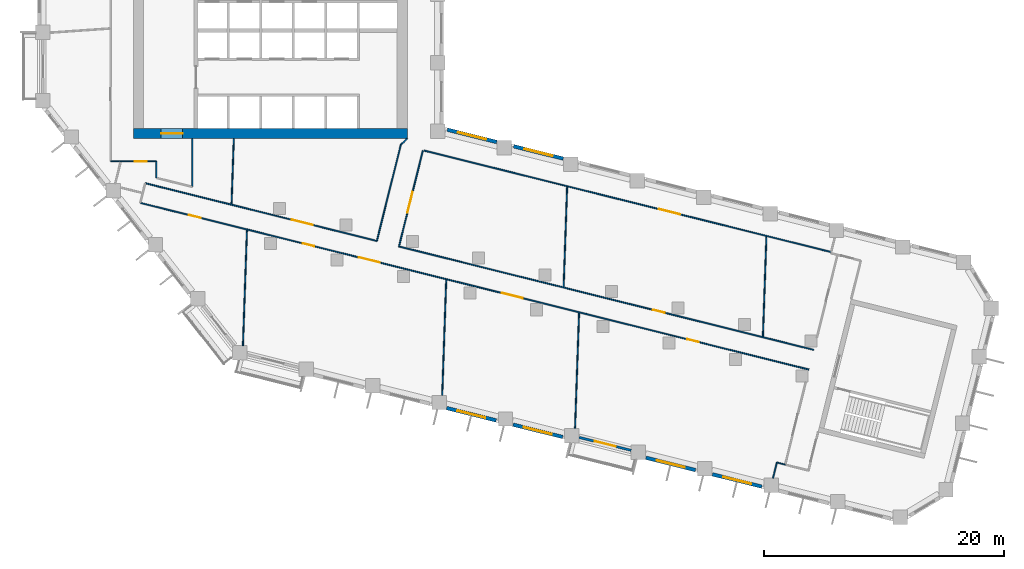
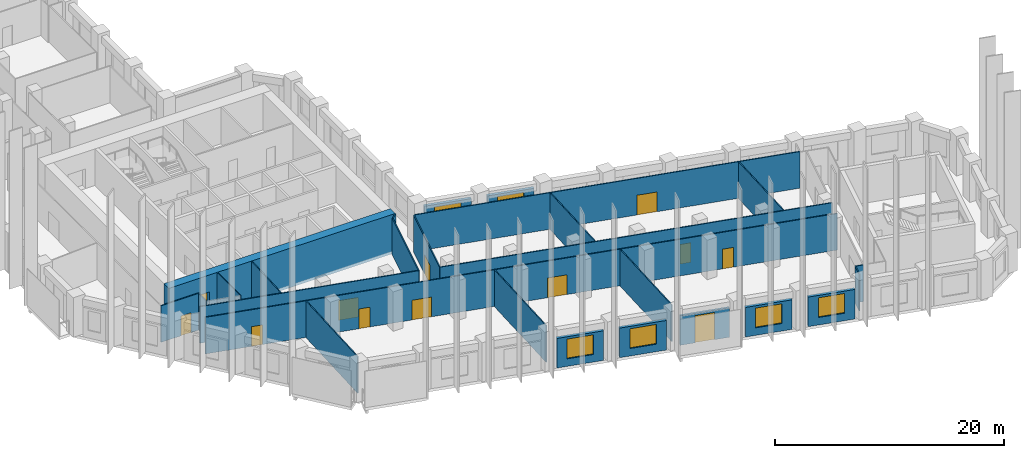
# One storey, part 3 of 10: 26 walls, 12 doors, 6 windows, 18 openings.
"""IFC4 building model written with IfcOpenShell, lengths in metres."""

from ifc_helpers import new_model, si_unit, direction, frame, frame_2d, origin, place, context, subcontext, project, spatial, rectangle, extrude, material, layer, layer_set, type_object, element, fill, save


model = new_model("IFC4")

# Units and contexts
model_context = context("Model", 3, precision=1e-05, world=origin(), true_north=direction((0.0, 1.0)))
body_context = subcontext(model_context, "Body", "Model", "MODEL_VIEW")
ifc_project = project(units=[si_unit("LENGTHUNIT", "METRE"), si_unit("AREAUNIT", "SQUARE_METRE"), si_unit("VOLUMEUNIT", "CUBIC_METRE"), si_unit("PLANEANGLEUNIT", "RADIAN"), si_unit("MASSUNIT", "GRAM", prefix="KILO")], contexts=[model_context])

# Site, building, storey
site_placement = place(None, origin())
site = spatial("IfcSite", under=ifc_project, at=site_placement, CompositionType="ELEMENT")
building_placement = place(site_placement, origin())
building = spatial("IfcBuilding", under=site, at=building_placement, Name="Meshkara Civic Tower", CompositionType="ELEMENT")
storey_placement = place(building_placement, frame((0.0, 0.0, 161.39990234375)))
storey = spatial("IfcBuildingStorey", under=building, at=storey_placement, Name="L36", CompositionType="ELEMENT", Elevation=161.39990234375)

# Wall, opening, door
ifc_material_1 = material(Name="Concrete C70", Category="concrete")
ifc_layer_1 = layer(ifc_material_1, 0.85009765625)
ifc_layer_set_1 = layer_set([ifc_layer_1], Name="Core ring wall 850 C70")
wall_type_1 = type_object("IfcWallType", Name="Core ring wall 850 C70", PredefinedType="SHEAR", material=ifc_layer_set_1)
wall_1_placement = place(storey_placement, frame((8.0, 14.52490234375, -0.2998046875), z_axis=(0.0, 0.0, 1.0), x_axis=(1.0, 0.0, 0.0)))
wall_1 = element("IfcWall", 1, at=wall_1_placement, inside=storey, type_object=wall_type_1, Name="L36-C001", PredefinedType="SHEAR", context=body_context, shape_type="SweptSolid", body=[
    extrude(rectangle(XDim=22.800048828125, YDim=0.85009765625, at=frame_2d((11.39990234375, 0.0))), origin(), (0.0, 0.0, 1.0), 4.199951171875),
])
opening_1_placement = place(wall_1_placement, frame((2.300048828125, 0.0, 0.300048828125)))
opening_1 = element("IfcOpeningElement", 2, at=opening_1_placement, cuts=wall_1, Name="Opening L36-K019", PredefinedType="OPENING", context=body_context, shape_type="SweptSolid", body=[
    extrude(rectangle(XDim=1.800048828125, YDim=2.10009765625, at=frame_2d((0.89990234375, 1.050048828125))), frame((0.0, 0.43505859375, 0.0), z_axis=(0.0, -1.0, 0.0), x_axis=(1.0, 0.0, 0.0)), (0.0, 0.0, 1.0), 0.8701171875),
])
ifc_material_2 = material(Name="Fire-rated door leaf in steel frame", Category="steel")
door_type_1 = type_object("IfcDoorType", Name="Core double door 1800 EI 60", OperationType="DOUBLE_DOOR_SINGLE_SWING", PredefinedType="DOOR", material=ifc_material_2)
door_1_placement = place(opening_1_placement, origin())
door_1 = element("IfcDoor", 3, at=door_1_placement, inside=storey, type_object=door_type_1, Name="L36-K019", OperationType="DOUBLE_DOOR_SINGLE_SWING", OverallHeight=2.10009765625, OverallWidth=1.800048828125, PredefinedType="DOOR", context=body_context, shape_type="SweptSolid", body=[
    extrude(rectangle(XDim=1.800048828125, YDim=2.10009765625, at=frame_2d((0.89990234375, 1.050048828125))), frame((0.0, 0.02490234375, 0.0), z_axis=(0.0, -1.0, 0.0), x_axis=(1.0, 0.0, 0.0)), (0.0, 0.0, 1.0), 0.050048828125),
])
fill(opening_1, door_1)

ifc_material_3 = material(Name="Corridor wall 100")
ifc_layer_2 = layer(ifc_material_3, 0.10009765625)
ifc_layer_set_2 = layer_set([ifc_layer_2], Name="Corridor wall 100")
wall_type_2 = type_object("IfcWallType", Name="Corridor wall 100", PredefinedType="PARTITIONING", material=ifc_layer_set_2)
wall_2_placement = place(storey_placement, frame((6.10009765625, 12.199951171875, 0.0), z_axis=(0.0, 0.0, 1.0), x_axis=(1.0, 0.0, 0.0)))
wall_2 = element("IfcWall", 4, at=wall_2_placement, inside=storey, type_object=wall_type_2, Name="L36-W004", PredefinedType="PARTITIONING", context=body_context, shape_type="SweptSolid", body=[
    extrude(rectangle(XDim=3.7998046875, YDim=0.10009765625, at=frame_2d((1.89990234375, 0.0))), origin(), (0.0, 0.0, 1.0), 3.900146484375),
])
opening_2_placement = place(wall_2_placement, frame((2.001953125, 0.0, 0.0)))
opening_2 = element("IfcOpeningElement", 5, at=opening_2_placement, cuts=wall_2, Name="Opening L36-D015", PredefinedType="OPENING", context=body_context, shape_type="SweptSolid", body=[
    extrude(rectangle(XDim=1.0, YDim=2.10009765625, at=frame_2d((0.5, 1.050048828125))), frame((0.0, 0.06005859375, 0.0), z_axis=(0.0, -1.0, 0.0), x_axis=(1.0, 0.0, 0.0)), (0.0, 0.0, 1.0), 0.1201171875),
])
ifc_material_4 = material(Name="Door 1000 x 2100")
door_type_2 = type_object("IfcDoorType", Name="Door 1000 x 2100", OperationType="SINGLE_SWING_LEFT", PredefinedType="DOOR", material=ifc_material_4)
door_2_placement = place(opening_2_placement, origin())
door_2 = element("IfcDoor", 6, at=door_2_placement, inside=storey, type_object=door_type_2, Name="L36-D015", OperationType="SINGLE_SWING_LEFT", OverallHeight=2.10009765625, OverallWidth=1.0, PredefinedType="DOOR", context=body_context, shape_type="SweptSolid", body=[
    extrude(rectangle(XDim=1.0, YDim=2.10009765625, at=frame_2d((0.5, 1.050048828125))), frame((0.0, 0.02490234375, 0.0), z_axis=(0.0, -1.0, 0.0), x_axis=(1.0, 0.0, 0.0)), (0.0, 0.0, 1.0), 0.050048828125),
])
fill(opening_2, door_2)

# Wall, openings, doors
wall_3_placement = place(storey_placement, frame((8.56494140625, 8.743896484375, 0.0), z_axis=(0.0, 0.0, 1.0), x_axis=(0.970296742948, -0.241917817915, 0.0)))
wall_3 = element("IfcWall", 7, at=wall_3_placement, inside=storey, type_object=wall_type_2, Name="L36-W006", PredefinedType="PARTITIONING", context=body_context, shape_type="SweptSolid", body=[
    extrude(rectangle(XDim=57.374267578125, YDim=0.10009765625, at=frame_2d((28.68701171875, 0.0))), origin(), (0.0, 0.0, 1.0), 3.900146484375),
])
opening_3_placement = place(wall_3_placement, frame((46.93603515625, 0.0, 0.0)))
opening_3 = element("IfcOpeningElement", 8, at=opening_3_placement, cuts=wall_3, Name="Opening L36-D004", PredefinedType="OPENING", context=body_context, shape_type="SweptSolid", body=[
    extrude(rectangle(XDim=1.0, YDim=2.10009765625, at=frame_2d((0.5, 1.050048828125))), frame((0.0, 0.06005859375, 0.0), z_axis=(0.0, -1.0, 0.0), x_axis=(1.0, 0.0, 0.0)), (0.0, 0.0, 1.0), 0.1201171875),
])
opening_4_placement = place(wall_3_placement, frame((13.93603515625, 0.0, 0.0)))
opening_4 = element("IfcOpeningElement", 9, at=opening_4_placement, cuts=wall_3, Name="Opening L36-D005", PredefinedType="OPENING", context=body_context, shape_type="SweptSolid", body=[
    extrude(rectangle(XDim=1.0, YDim=2.10009765625, at=frame_2d((0.5, 1.050048828125))), frame((0.0, 0.06005859375, 0.0), z_axis=(0.0, -1.0, 0.0), x_axis=(1.0, 0.0, 0.0)), (0.0, 0.0, 1.0), 0.1201171875),
])
opening_5_placement = place(wall_3_placement, frame((18.736083984375, 0.0, 0.0)))
opening_5 = element("IfcOpeningElement", 10, at=opening_5_placement, cuts=wall_3, Name="Opening L36-D006", PredefinedType="OPENING", context=body_context, shape_type="SweptSolid", body=[
    extrude(rectangle(XDim=1.800048828125, YDim=2.10009765625, at=frame_2d((0.89990234375, 1.050048828125))), frame((0.0, 0.06005859375, 0.0), z_axis=(0.0, -1.0, 0.0), x_axis=(1.0, 0.0, 0.0)), (0.0, 0.0, 1.0), 0.1201171875),
])
opening_6_placement = place(wall_3_placement, frame((31.035888671875, 0.0, 0.0)))
opening_6 = element("IfcOpeningElement", 11, at=opening_6_placement, cuts=wall_3, Name="Opening L36-D007", PredefinedType="OPENING", context=body_context, shape_type="SweptSolid", body=[
    extrude(rectangle(XDim=1.800048828125, YDim=2.10009765625, at=frame_2d((0.89990234375, 1.050048828125))), frame((0.0, 0.06005859375, 0.0), z_axis=(0.0, -1.0, 0.0), x_axis=(1.0, 0.0, 0.0)), (0.0, 0.0, 1.0), 0.1201171875),
])
opening_7_placement = place(wall_3_placement, frame((4.179931640625, 0.0, 0.0)))
opening_7 = element("IfcOpeningElement", 12, at=opening_7_placement, cuts=wall_3, Name="Opening L36-D010", PredefinedType="OPENING", context=body_context, shape_type="SweptSolid", body=[
    extrude(rectangle(XDim=1.0, YDim=2.10009765625, at=frame_2d((0.5, 1.050048828125))), frame((0.0, 0.06005859375, 0.0), z_axis=(0.0, -1.0, 0.0), x_axis=(1.0, 0.0, 0.0)), (0.0, 0.0, 1.0), 0.1201171875),
])
door_3_placement = place(opening_3_placement, origin())
door_3 = element("IfcDoor", 13, at=door_3_placement, inside=storey, type_object=door_type_2, Name="L36-D004", OperationType="SINGLE_SWING_RIGHT", OverallHeight=2.10009765625, OverallWidth=1.0, PredefinedType="DOOR", context=body_context, shape_type="SweptSolid", body=[
    extrude(rectangle(XDim=1.0, YDim=2.10009765625, at=frame_2d((0.5, 1.050048828125))), frame((0.0, 0.02490234375, 0.0), z_axis=(0.0, -1.0, 0.0), x_axis=(1.0, 0.0, 0.0)), (0.0, 0.0, 1.0), 0.050048828125),
])
fill(opening_3, door_3)
door_4_placement = place(opening_4_placement, origin())
door_4 = element("IfcDoor", 14, at=door_4_placement, inside=storey, type_object=door_type_2, Name="L36-D005", OperationType="SINGLE_SWING_RIGHT", OverallHeight=2.10009765625, OverallWidth=1.0, PredefinedType="DOOR", context=body_context, shape_type="SweptSolid", body=[
    extrude(rectangle(XDim=1.0, YDim=2.10009765625, at=frame_2d((0.5, 1.050048828125))), frame((0.0, 0.02490234375, 0.0), z_axis=(0.0, -1.0, 0.0), x_axis=(1.0, 0.0, 0.0)), (0.0, 0.0, 1.0), 0.050048828125),
])
fill(opening_4, door_4)
door_5_placement = place(opening_7_placement, origin())
door_5 = element("IfcDoor", 15, at=door_5_placement, inside=storey, type_object=door_type_2, Name="L36-D010", OperationType="SINGLE_SWING_LEFT", OverallHeight=2.10009765625, OverallWidth=1.0, PredefinedType="DOOR", context=body_context, shape_type="SweptSolid", body=[
    extrude(rectangle(XDim=1.0, YDim=2.10009765625, at=frame_2d((0.5, 1.050048828125))), frame((0.0, 0.02490234375, 0.0), z_axis=(0.0, -1.0, 0.0), x_axis=(1.0, 0.0, 0.0)), (0.0, 0.0, 1.0), 0.050048828125),
])
fill(opening_7, door_5)
ifc_material_5 = material(Name="Door pair 1800 x 2100")
door_type_3 = type_object("IfcDoorType", Name="Door pair 1800 x 2100", OperationType="SINGLE_SWING_LEFT", PredefinedType="DOOR", material=ifc_material_5)
door_6_placement = place(opening_5_placement, origin())
door_6 = element("IfcDoor", 16, at=door_6_placement, inside=storey, type_object=door_type_3, Name="L36-D006", OperationType="DOUBLE_DOOR_SINGLE_SWING", OverallHeight=2.10009765625, OverallWidth=1.800048828125, PredefinedType="DOOR", context=body_context, shape_type="SweptSolid", body=[
    extrude(rectangle(XDim=1.800048828125, YDim=2.10009765625, at=frame_2d((0.89990234375, 1.050048828125))), frame((0.0, 0.02490234375, 0.0), z_axis=(0.0, -1.0, 0.0), x_axis=(1.0, 0.0, 0.0)), (0.0, 0.0, 1.0), 0.050048828125),
])
fill(opening_5, door_6)
door_7_placement = place(opening_6_placement, origin())
door_7 = element("IfcDoor", 17, at=door_7_placement, inside=storey, type_object=door_type_3, Name="L36-D007", OperationType="DOUBLE_DOOR_SINGLE_SWING", OverallHeight=2.10009765625, OverallWidth=1.800048828125, PredefinedType="DOOR", context=body_context, shape_type="SweptSolid", body=[
    extrude(rectangle(XDim=1.800048828125, YDim=2.10009765625, at=frame_2d((0.89990234375, 1.050048828125))), frame((0.0, 0.02490234375, 0.0), z_axis=(0.0, -1.0, 0.0), x_axis=(1.0, 0.0, 0.0)), (0.0, 0.0, 1.0), 0.050048828125),
])
fill(opening_6, door_7)

# Wall, opening, door
wall_4_placement = place(storey_placement, frame((8.972900390625, 10.382080078125, 0.0), z_axis=(0.0, 0.0, 1.0), x_axis=(0.970286808807, -0.241957658808, 0.0)))
wall_4 = element("IfcWall", 18, at=wall_4_placement, inside=storey, type_object=wall_type_2, Name="L36-W007", PredefinedType="PARTITIONING", context=body_context, shape_type="SweptSolid", body=[
    extrude(rectangle(XDim=19.879638671875, YDim=0.10009765625, at=frame_2d((9.93994140625, 0.0))), origin(), (0.0, 0.0, 1.0), 3.900146484375),
])
opening_8_placement = place(wall_4_placement, frame((12.574951171875, 0.0, 0.0)))
opening_8 = element("IfcOpeningElement", 19, at=opening_8_placement, cuts=wall_4, Name="Opening L36-D011", PredefinedType="OPENING", context=body_context, shape_type="SweptSolid", body=[
    extrude(rectangle(XDim=1.800048828125, YDim=2.10009765625, at=frame_2d((0.89990234375, 1.050048828125))), frame((0.0, 0.06005859375, 0.0), z_axis=(0.0, -1.0, 0.0), x_axis=(1.0, 0.0, 0.0)), (0.0, 0.0, 1.0), 0.1201171875),
])
door_8_placement = place(opening_8_placement, origin())
door_8 = element("IfcDoor", 20, at=door_8_placement, inside=storey, type_object=door_type_3, Name="L36-D011", OperationType="DOUBLE_DOOR_SINGLE_SWING", OverallHeight=2.10009765625, OverallWidth=1.800048828125, PredefinedType="DOOR", context=body_context, shape_type="SweptSolid", body=[
    extrude(rectangle(XDim=1.800048828125, YDim=2.10009765625, at=frame_2d((0.89990234375, 1.050048828125))), frame((0.0, 0.02490234375, 0.0), z_axis=(0.0, -1.0, 0.0), x_axis=(1.0, 0.0, 0.0)), (0.0, 0.0, 1.0), 0.050048828125),
])
fill(opening_8, door_8)

# Walls
wall_5_placement = place(storey_placement, frame((9.89990234375, 12.199951171875, 0.0), z_axis=(0.0, 0.0, 1.0), x_axis=(0.0, -1.0, 0.0)))
element("IfcWall", 21, at=wall_5_placement, inside=storey, type_object=wall_type_2, Name="L36-W010", PredefinedType="PARTITIONING", context=body_context, shape_type="SweptSolid", body=[
    extrude(rectangle(XDim=1.3740234375, YDim=0.10009765625, at=frame_2d((0.68701171875, 0.0))), origin(), (0.0, 0.0, 1.0), 3.900146484375),
])
wall_6_placement = place(storey_placement, frame((12.89990234375, 10.077880859375, 0.0), z_axis=(0.0, 0.0, 1.0), x_axis=(0.0, 1.0, 0.0)))
element("IfcWall", 22, at=wall_6_placement, inside=storey, type_object=wall_type_2, Name="L36-W016", PredefinedType="PARTITIONING", context=body_context, shape_type="SweptSolid", body=[
    extrude(rectangle(XDim=4.022216796875, YDim=0.10009765625, at=frame_2d((2.01123046875, 0.0))), origin(), (0.0, 0.0, 1.0), 3.900146484375),
])

# Wall, opening, door
wall_7_placement = place(storey_placement, frame((30.10498046875, 5.113037109375, 0.0), z_axis=(0.0, 0.0, 1.0), x_axis=(0.970292395556, -0.241935253995, 0.0)))
wall_7 = element("IfcWall", 23, at=wall_7_placement, inside=storey, type_object=wall_type_2, Name="L36-W027", PredefinedType="PARTITIONING", context=body_context, shape_type="SweptSolid", body=[
    extrude(rectangle(XDim=35.596435546875, YDim=0.10009765625, at=frame_2d((17.79833984375, 0.0))), origin(), (0.0, 0.0, 1.0), 3.900146484375),
])
opening_9_placement = place(wall_7_placement, frame((21.7958984375, 0.0, 0.0)))
opening_9 = element("IfcOpeningElement", 24, at=opening_9_placement, cuts=wall_7, Name="Opening L36-D003", PredefinedType="OPENING", context=body_context, shape_type="SweptSolid", body=[
    extrude(rectangle(XDim=1.0, YDim=2.10009765625, at=frame_2d((0.5, 1.050048828125))), frame((0.0, 0.06005859375, 0.0), z_axis=(0.0, -1.0, 0.0), x_axis=(1.0, 0.0, 0.0)), (0.0, 0.0, 1.0), 0.1201171875),
])
door_9_placement = place(opening_9_placement, origin())
door_9 = element("IfcDoor", 25, at=door_9_placement, inside=storey, type_object=door_type_2, Name="L36-D003", OperationType="SINGLE_SWING_LEFT", OverallHeight=2.10009765625, OverallWidth=1.0, PredefinedType="DOOR", context=body_context, shape_type="SweptSolid", body=[
    extrude(rectangle(XDim=1.0, YDim=2.10009765625, at=frame_2d((0.5, 1.050048828125))), frame((0.0, 0.02490234375, 0.0), z_axis=(0.0, -1.0, 0.0), x_axis=(1.0, 0.0, 0.0)), (0.0, 0.0, 1.0), 0.050048828125),
])
fill(opening_9, door_9)

wall_8_placement = place(storey_placement, frame((30.10498046875, 5.113037109375, 0.0), z_axis=(0.0, 0.0, 1.0), x_axis=(0.241984285369, 0.970280168629, 0.0)))
wall_8 = element("IfcWall", 26, at=wall_8_placement, inside=storey, type_object=wall_type_2, Name="L36-W028", PredefinedType="PARTITIONING", context=body_context, shape_type="SweptSolid", body=[
    extrude(rectangle(XDim=8.231689453125, YDim=0.10009765625, at=frame_2d((4.11572265625, 0.0))), origin(), (0.0, 0.0, 1.0), 3.900146484375),
])
opening_10_placement = place(wall_8_placement, frame((2.8798828125, 0.0, 0.0)))
opening_10 = element("IfcOpeningElement", 27, at=opening_10_placement, cuts=wall_8, Name="Opening L36-D012", PredefinedType="OPENING", context=body_context, shape_type="SweptSolid", body=[
    extrude(rectangle(XDim=1.800048828125, YDim=2.10009765625, at=frame_2d((0.89990234375, 1.050048828125))), frame((0.0, 0.06005859375, 0.0), z_axis=(0.0, -1.0, 0.0), x_axis=(1.0, 0.0, 0.0)), (0.0, 0.0, 1.0), 0.1201171875),
])
door_10_placement = place(opening_10_placement, origin())
door_10 = element("IfcDoor", 28, at=door_10_placement, inside=storey, type_object=door_type_3, Name="L36-D012", OperationType="DOUBLE_DOOR_SINGLE_SWING", OverallHeight=2.10009765625, OverallWidth=1.800048828125, PredefinedType="DOOR", context=body_context, shape_type="SweptSolid", body=[
    extrude(rectangle(XDim=1.800048828125, YDim=2.10009765625, at=frame_2d((0.89990234375, 1.050048828125))), frame((0.0, 0.02490234375, 0.0), z_axis=(0.0, -1.0, 0.0), x_axis=(1.0, 0.0, 0.0)), (0.0, 0.0, 1.0), 0.050048828125),
])
fill(opening_10, door_10)

# Walls
wall_9_placement = place(storey_placement, frame((30.259033203125, 13.5830078125, 0.0), z_axis=(0.0, 0.0, 1.0), x_axis=(-0.241888494143, -0.970304053584, 0.0)))
element("IfcWall", 29, at=wall_9_placement, inside=storey, type_object=wall_type_2, Name="L36-W029", PredefinedType="PARTITIONING", context=body_context, shape_type="SweptSolid", body=[
    extrude(rectangle(XDim=8.256103515625, YDim=0.10009765625, at=frame_2d((4.1279296875, 0.0))), origin(), (0.0, 0.0, 1.0), 3.900146484375),
])
wall_10_placement = place(storey_placement, frame((30.800048828125, 14.10009765625, 0.0), z_axis=(0.0, 0.0, 1.0), x_axis=(-0.722911025189, -0.690941133281, 0.0)))
element("IfcWall", 30, at=wall_10_placement, inside=storey, type_object=wall_type_2, Name="L36-W030", PredefinedType="PARTITIONING", context=body_context, shape_type="SweptSolid", body=[
    extrude(rectangle(XDim=0.748291015625, YDim=0.10009765625, at=frame_2d((0.3740234375, 0.0))), origin(), (0.0, 0.0, 1.0), 3.900146484375),
])

# Wall, opening, door
wall_11_placement = place(storey_placement, frame((32.196044921875, 13.10009765625, 0.0), z_axis=(0.0, 0.0, 1.0), x_axis=(0.970294028693, -0.241928704129, 0.0)))
wall_11 = element("IfcWall", 31, at=wall_11_placement, inside=storey, type_object=wall_type_2, Name="L36-W031", PredefinedType="PARTITIONING", context=body_context, shape_type="SweptSolid", body=[
    extrude(rectangle(XDim=34.928466796875, YDim=0.10009765625, at=frame_2d((17.46435546875, 0.0))), origin(), (0.0, 0.0, 1.0), 3.900146484375),
])
opening_11_placement = place(wall_11_placement, frame((20.156982421875, 0.0, 0.0)))
opening_11 = element("IfcOpeningElement", 32, at=opening_11_placement, cuts=wall_11, Name="Opening L36-D013", PredefinedType="OPENING", context=body_context, shape_type="SweptSolid", body=[
    extrude(rectangle(XDim=1.800048828125, YDim=2.10009765625, at=frame_2d((0.89990234375, 1.050048828125))), frame((0.0, 0.06005859375, 0.0), z_axis=(0.0, -1.0, 0.0), x_axis=(1.0, 0.0, 0.0)), (0.0, 0.0, 1.0), 0.1201171875),
])
door_11_placement = place(opening_11_placement, origin())
door_11 = element("IfcDoor", 33, at=door_11_placement, inside=storey, type_object=door_type_3, Name="L36-D013", OperationType="DOUBLE_DOOR_SINGLE_SWING", OverallHeight=2.10009765625, OverallWidth=1.800048828125, PredefinedType="DOOR", context=body_context, shape_type="SweptSolid", body=[
    extrude(rectangle(XDim=1.800048828125, YDim=2.10009765625, at=frame_2d((0.89990234375, 1.050048828125))), frame((0.0, 0.02490234375, 0.0), z_axis=(0.0, -1.0, 0.0), x_axis=(1.0, 0.0, 0.0)), (0.0, 0.0, 1.0), 0.050048828125),
])
fill(opening_11, door_11)

# Wall, opening, window
ifc_material_6 = material(Name="Insulated infill panel with bronze anodised aluminium cladding", Category="aluminium")
ifc_layer_3 = layer(ifc_material_6, 0.300048828125)
ifc_layer_set_3 = layer_set([ifc_layer_3], Name="EXTERNAL INFILL WALL 300")
wall_type_3 = type_object("IfcWallType", Name="EXTERNAL INFILL WALL 300", PredefinedType="SOLIDWALL", material=ifc_layer_set_3)
wall_12_placement = place(storey_placement, frame((43.778076171875, 12.427978515625, 0.0), z_axis=(0.0, 0.0, 1.0), x_axis=(-0.970291164166, 0.241940192487, 0.0)))
wall_12 = element("IfcWall", 34, at=wall_12_placement, inside=storey, type_object=wall_type_3, Name="External wall", PredefinedType="SOLIDWALL", context=body_context, shape_type="SweptSolid", body=[
    extrude(rectangle(XDim=4.245361328125, YDim=0.300048828125, at=frame_2d((2.12255859375, 0.0))), origin(), (0.0, 0.0, 1.0), 3.150146484375),
])
opening_12_placement = place(wall_12_placement, frame((0.922119140625, 0.0, 0.800048828125)))
opening_12 = element("IfcOpeningElement", 35, at=opening_12_placement, cuts=wall_12, Name="Opening W7", PredefinedType="OPENING", context=body_context, shape_type="SweptSolid", body=[
    extrude(rectangle(XDim=2.39990234375, YDim=2.10009765625, at=frame_2d((1.199951171875, 1.050048828125))), frame((0.0, 0.159912109375, 0.0), z_axis=(0.0, -1.0, 0.0), x_axis=(1.0, 0.0, 0.0)), (0.0, 0.0, 1.0), 0.320068359375),
])
ifc_material_7 = material(Name="Tinted double glazing", Category="glass")
window_type = type_object("IfcWindowType", Name="WINDOW 2400x2100", PartitioningType="DOUBLE_PANEL_VERTICAL", PredefinedType="WINDOW", material=ifc_material_7)
window_1_placement = place(opening_12_placement, origin())
window_1 = element("IfcWindow", 36, at=window_1_placement, inside=storey, type_object=window_type, Name="Window", OverallHeight=2.10009765625, OverallWidth=2.39990234375, PartitioningType="DOUBLE_PANEL_VERTICAL", PredefinedType="WINDOW", context=body_context, shape_type="SweptSolid", body=[
    extrude(rectangle(XDim=2.39990234375, YDim=2.10009765625, at=frame_2d((1.199951171875, 1.050048828125))), frame((0.0, 0.030029296875, 0.0), z_axis=(0.0, -1.0, 0.0), x_axis=(1.0, 0.0, 0.0)), (0.0, 0.0, 1.0), 0.06005859375),
])
fill(opening_12, window_1)

wall_13_placement = place(storey_placement, frame((38.248046875, 13.806884765625, 0.0), z_axis=(0.0, 0.0, 1.0), x_axis=(-0.970250625545, 0.242102712975, 0.0)))
wall_13 = element("IfcWall", 37, at=wall_13_placement, inside=storey, type_object=wall_type_3, Name="External wall", PredefinedType="SOLIDWALL", context=body_context, shape_type="SweptSolid", body=[
    extrude(rectangle(XDim=4.246337890625, YDim=0.300048828125, at=frame_2d((2.123046875, 0.0))), origin(), (0.0, 0.0, 1.0), 3.150146484375),
])
opening_13_placement = place(wall_13_placement, frame((0.923095703125, 0.0, 0.800048828125)))
opening_13 = element("IfcOpeningElement", 38, at=opening_13_placement, cuts=wall_13, Name="Opening W7", PredefinedType="OPENING", context=body_context, shape_type="SweptSolid", body=[
    extrude(rectangle(XDim=2.39990234375, YDim=2.10009765625, at=frame_2d((1.199951171875, 1.050048828125))), frame((0.0, 0.159912109375, 0.0), z_axis=(0.0, -1.0, 0.0), x_axis=(1.0, 0.0, 0.0)), (0.0, 0.0, 1.0), 0.320068359375),
])
window_2_placement = place(opening_13_placement, origin())
window_2 = element("IfcWindow", 39, at=window_2_placement, inside=storey, type_object=window_type, Name="Window", OverallHeight=2.10009765625, OverallWidth=2.39990234375, PartitioningType="DOUBLE_PANEL_VERTICAL", PredefinedType="WINDOW", context=body_context, shape_type="SweptSolid", body=[
    extrude(rectangle(XDim=2.39990234375, YDim=2.10009765625, at=frame_2d((1.199951171875, 1.050048828125))), frame((0.0, 0.030029296875, 0.0), z_axis=(0.0, -1.0, 0.0), x_axis=(1.0, 0.0, 0.0)), (0.0, 0.0, 1.0), 0.06005859375),
])
fill(opening_13, window_2)

wall_14_placement = place(storey_placement, frame((34.075927734375, -8.342041015625, 0.0), z_axis=(0.0, 0.0, 1.0), x_axis=(0.970318118028, -0.241832069473, 0.0)))
wall_14 = element("IfcWall", 40, at=wall_14_placement, inside=storey, type_object=wall_type_3, Name="External wall", PredefinedType="SOLIDWALL", context=body_context, shape_type="SweptSolid", body=[
    extrude(rectangle(XDim=4.24609375, YDim=0.300048828125, at=frame_2d((2.123046875, 0.0))), origin(), (0.0, 0.0, 1.0), 3.150146484375),
])
opening_14_placement = place(wall_14_placement, frame((0.923095703125, 0.0, 0.800048828125)))
opening_14 = element("IfcOpeningElement", 41, at=opening_14_placement, cuts=wall_14, Name="Opening W7", PredefinedType="OPENING", context=body_context, shape_type="SweptSolid", body=[
    extrude(rectangle(XDim=2.39990234375, YDim=2.10009765625, at=frame_2d((1.199951171875, 1.050048828125))), frame((0.0, 0.159912109375, 0.0), z_axis=(0.0, -1.0, 0.0), x_axis=(1.0, 0.0, 0.0)), (0.0, 0.0, 1.0), 0.320068359375),
])
window_3_placement = place(opening_14_placement, origin())
window_3 = element("IfcWindow", 42, at=window_3_placement, inside=storey, type_object=window_type, Name="Window", OverallHeight=2.10009765625, OverallWidth=2.39990234375, PartitioningType="DOUBLE_PANEL_VERTICAL", PredefinedType="WINDOW", context=body_context, shape_type="SweptSolid", body=[
    extrude(rectangle(XDim=2.39990234375, YDim=2.10009765625, at=frame_2d((1.199951171875, 1.050048828125))), frame((0.0, 0.030029296875, 0.0), z_axis=(0.0, -1.0, 0.0), x_axis=(1.0, 0.0, 0.0)), (0.0, 0.0, 1.0), 0.06005859375),
])
fill(opening_14, window_3)

wall_15_placement = place(storey_placement, frame((39.60693359375, -9.719970703125, 0.0), z_axis=(0.0, 0.0, 1.0), x_axis=(0.970250625545, -0.242102712975, 0.0)))
wall_15 = element("IfcWall", 43, at=wall_15_placement, inside=storey, type_object=wall_type_3, Name="External wall", PredefinedType="SOLIDWALL", context=body_context, shape_type="SweptSolid", body=[
    extrude(rectangle(XDim=4.246337890625, YDim=0.300048828125, at=frame_2d((2.123046875, 0.0))), origin(), (0.0, 0.0, 1.0), 3.150146484375),
])
opening_15_placement = place(wall_15_placement, frame((0.923095703125, 0.0, 0.800048828125)))
opening_15 = element("IfcOpeningElement", 44, at=opening_15_placement, cuts=wall_15, Name="Opening W7", PredefinedType="OPENING", context=body_context, shape_type="SweptSolid", body=[
    extrude(rectangle(XDim=2.39990234375, YDim=2.10009765625, at=frame_2d((1.199951171875, 1.050048828125))), frame((0.0, 0.159912109375, 0.0), z_axis=(0.0, -1.0, 0.0), x_axis=(1.0, 0.0, 0.0)), (0.0, 0.0, 1.0), 0.320068359375),
])
window_4_placement = place(opening_15_placement, origin())
window_4 = element("IfcWindow", 45, at=window_4_placement, inside=storey, type_object=window_type, Name="Window", OverallHeight=2.10009765625, OverallWidth=2.39990234375, PartitioningType="DOUBLE_PANEL_VERTICAL", PredefinedType="WINDOW", context=body_context, shape_type="SweptSolid", body=[
    extrude(rectangle(XDim=2.39990234375, YDim=2.10009765625, at=frame_2d((1.199951171875, 1.050048828125))), frame((0.0, 0.030029296875, 0.0), z_axis=(0.0, -1.0, 0.0), x_axis=(1.0, 0.0, 0.0)), (0.0, 0.0, 1.0), 0.06005859375),
])
fill(opening_15, window_4)

wall_16_placement = place(storey_placement, frame((50.66796875, -12.47802734375, 0.0), z_axis=(0.0, 0.0, 1.0), x_axis=(0.970318118028, -0.241832069473, 0.0)))
wall_16 = element("IfcWall", 46, at=wall_16_placement, inside=storey, type_object=wall_type_3, Name="External wall", PredefinedType="SOLIDWALL", context=body_context, shape_type="SweptSolid", body=[
    extrude(rectangle(XDim=4.24609375, YDim=0.300048828125, at=frame_2d((2.123046875, 0.0))), origin(), (0.0, 0.0, 1.0), 3.150146484375),
])
opening_16_placement = place(wall_16_placement, frame((0.923095703125, 0.0, 0.800048828125)))
opening_16 = element("IfcOpeningElement", 47, at=opening_16_placement, cuts=wall_16, Name="Opening W7", PredefinedType="OPENING", context=body_context, shape_type="SweptSolid", body=[
    extrude(rectangle(XDim=2.39990234375, YDim=2.10009765625, at=frame_2d((1.199951171875, 1.050048828125))), frame((0.0, 0.159912109375, 0.0), z_axis=(0.0, -1.0, 0.0), x_axis=(1.0, 0.0, 0.0)), (0.0, 0.0, 1.0), 0.320068359375),
])
window_5_placement = place(opening_16_placement, origin())
window_5 = element("IfcWindow", 48, at=window_5_placement, inside=storey, type_object=window_type, Name="Window", OverallHeight=2.10009765625, OverallWidth=2.39990234375, PartitioningType="DOUBLE_PANEL_VERTICAL", PredefinedType="WINDOW", context=body_context, shape_type="SweptSolid", body=[
    extrude(rectangle(XDim=2.39990234375, YDim=2.10009765625, at=frame_2d((1.199951171875, 1.050048828125))), frame((0.0, 0.030029296875, 0.0), z_axis=(0.0, -1.0, 0.0), x_axis=(1.0, 0.0, 0.0)), (0.0, 0.0, 1.0), 0.06005859375),
])
fill(opening_16, window_5)

wall_17_placement = place(storey_placement, frame((56.198974609375, -13.85693359375, 0.0), z_axis=(0.0, 0.0, 1.0), x_axis=(0.97030462482, -0.241886202691, 0.0)))
wall_17 = element("IfcWall", 49, at=wall_17_placement, inside=storey, type_object=wall_type_3, Name="External wall", PredefinedType="SOLIDWALL", context=body_context, shape_type="SweptSolid", body=[
    extrude(rectangle(XDim=4.24609375, YDim=0.300048828125, at=frame_2d((2.123046875, 0.0))), origin(), (0.0, 0.0, 1.0), 3.150146484375),
])
opening_17_placement = place(wall_17_placement, frame((0.923095703125, 0.0, 0.800048828125)))
opening_17 = element("IfcOpeningElement", 50, at=opening_17_placement, cuts=wall_17, Name="Opening W7", PredefinedType="OPENING", context=body_context, shape_type="SweptSolid", body=[
    extrude(rectangle(XDim=2.39990234375, YDim=2.10009765625, at=frame_2d((1.199951171875, 1.050048828125))), frame((0.0, 0.159912109375, 0.0), z_axis=(0.0, -1.0, 0.0), x_axis=(1.0, 0.0, 0.0)), (0.0, 0.0, 1.0), 0.320068359375),
])
window_6_placement = place(opening_17_placement, origin())
window_6 = element("IfcWindow", 51, at=window_6_placement, inside=storey, type_object=window_type, Name="Window", OverallHeight=2.10009765625, OverallWidth=2.39990234375, PartitioningType="DOUBLE_PANEL_VERTICAL", PredefinedType="WINDOW", context=body_context, shape_type="SweptSolid", body=[
    extrude(rectangle(XDim=2.39990234375, YDim=2.10009765625, at=frame_2d((1.199951171875, 1.050048828125))), frame((0.0, 0.030029296875, 0.0), z_axis=(0.0, -1.0, 0.0), x_axis=(1.0, 0.0, 0.0)), (0.0, 0.0, 1.0), 0.06005859375),
])
fill(opening_17, window_6)

# Wall, opening, door
ifc_material_8 = material(Name="Insulated infill panel with bronze anodised aluminium cladding", Category="aluminium")
ifc_layer_4 = layer(ifc_material_8, 0.199951171875)
ifc_layer_set_4 = layer_set([ifc_layer_4], Name="LOGGIA BACK WALL 200")
wall_type_4 = type_object("IfcWallType", Name="LOGGIA BACK WALL 200", PredefinedType="SOLIDWALL", material=ifc_layer_set_4)
wall_18_placement = place(storey_placement, frame((45.10498046875, -10.781982421875, 0.0), z_axis=(0.0, 0.0, 1.0), x_axis=(0.970322450875, -0.241814683856, 0.0)))
wall_18 = element("IfcWall", 52, at=wall_18_placement, inside=storey, type_object=wall_type_4, Name="Loggia wall", PredefinedType="SOLIDWALL", context=body_context, shape_type="SweptSolid", body=[
    extrude(rectangle(XDim=4.46240234375, YDim=0.199951171875, at=frame_2d((2.231201171875, 0.0))), origin(), (0.0, 0.0, 1.0), 3.150146484375),
])
opening_18_placement = place(wall_18_placement, frame((1.3310546875, 0.0, 0.0)))
opening_18 = element("IfcOpeningElement", 53, at=opening_18_placement, cuts=wall_18, Name="Opening L36-L005", PredefinedType="OPENING", context=body_context, shape_type="SweptSolid", body=[
    extrude(rectangle(XDim=1.800048828125, YDim=2.89990234375, at=frame_2d((0.89990234375, 1.449951171875))), frame((0.0, 0.10986328125, 0.0), z_axis=(0.0, -1.0, 0.0), x_axis=(1.0, 0.0, 0.0)), (0.0, 0.0, 1.0), 0.219970703125),
])
ifc_material_9 = material(Name="Tinted double glazing", Category="glass")
door_type_4 = type_object("IfcDoorType", Name="LOGGIA DOOR 1800x2900", OperationType="DOUBLE_DOOR_SINGLE_SWING", PredefinedType="DOOR", material=ifc_material_9)
door_12_placement = place(opening_18_placement, origin())
door_12 = element("IfcDoor", 54, at=door_12_placement, inside=storey, type_object=door_type_4, Name="L36-L005", OperationType="DOUBLE_DOOR_SINGLE_SWING", OverallHeight=2.89990234375, OverallWidth=1.800048828125, PredefinedType="DOOR", context=body_context, shape_type="SweptSolid", body=[
    extrude(rectangle(XDim=1.800048828125, YDim=2.89990234375, at=frame_2d((0.89990234375, 1.449951171875))), frame((0.0, 0.02490234375, 0.0), z_axis=(0.0, -1.0, 0.0), x_axis=(1.0, 0.0, 0.0)), (0.0, 0.0, 1.0), 0.050048828125),
])
fill(opening_18, door_12)

# Walls
ifc_material_10 = material(Name="Partition 100")
ifc_layer_5 = layer(ifc_material_10, 0.10009765625)
ifc_layer_set_5 = layer_set([ifc_layer_5], Name="Partition 100")
wall_type_5 = type_object("IfcWallType", Name="Partition 100", PredefinedType="PARTITIONING", material=ifc_layer_set_5)
wall_19_placement = place(storey_placement, frame((16.1630859375, 8.652099609375, 0.0), z_axis=(0.0, 0.0, 1.0), x_axis=(0.034843270883, 0.999392788884, 0.0)))
element("IfcWall", 55, at=wall_19_placement, inside=storey, type_object=wall_type_5, Name="L36-W049", PredefinedType="PARTITIONING", context=body_context, shape_type="SweptSolid", body=[
    extrude(rectangle(XDim=5.451416015625, YDim=0.10009765625, at=frame_2d((2.7255859375, 0.0))), origin(), (0.0, 0.0, 1.0), 3.900146484375),
])
for number, where, z_axis, x_axis, name in (
    (56, (17.112060546875, -3.137939453125, 0.0), (0.0, 0.0, 1.0), (0.034852485017, 0.999392467596, 0.0), "L36-W050"),
    (57, (33.7041015625, -7.27490234375, 0.0), (0.0, 0.0, 1.0), (0.034852485017, 0.999392467596, 0.0), "L36-W052"),
):
    element("IfcWall", number, at=place(storey_placement, frame(where, z_axis=z_axis, x_axis=x_axis)), inside=storey, type_object=wall_type_5, Name=name, PredefinedType="PARTITIONING", context=body_context, shape_type="SweptSolid", body=[
        extrude(rectangle(XDim=9.61083984375, YDim=0.10009765625, at=frame_2d((4.805419921875, 0.0))), origin(), (0.0, 0.0, 1.0), 3.900146484375),
    ])
wall_20_placement = place(storey_placement, frame((43.81591796875, 1.757080078125, 0.0), z_axis=(0.0, 0.0, 1.0), x_axis=(0.034876835741, 0.9993916181, 0.0)))
element("IfcWall", 58, at=wall_20_placement, inside=storey, type_object=wall_type_5, Name="L36-W053", PredefinedType="PARTITIONING", context=body_context, shape_type="SweptSolid", body=[
    extrude(rectangle(XDim=8.316162109375, YDim=0.10009765625, at=frame_2d((4.158203125, 0.0))), origin(), (0.0, 0.0, 1.0), 3.900146484375),
])
wall_21_placement = place(storey_placement, frame((44.764892578125, -10.031982421875, 0.0), z_axis=(0.0, 0.0, 1.0), x_axis=(0.034881398978, 0.999391458842, 0.0)))
element("IfcWall", 59, at=wall_21_placement, inside=storey, type_object=wall_type_5, Name="L36-W054", PredefinedType="PARTITIONING", context=body_context, shape_type="SweptSolid", body=[
    extrude(rectangle(XDim=9.60986328125, YDim=0.10009765625, at=frame_2d((4.804931640625, 0.0))), origin(), (0.0, 0.0, 1.0), 3.900146484375),
])
wall_22_placement = place(storey_placement, frame((60.407958984375, -2.3798828125, 0.0), z_axis=(0.0, 0.0, 1.0), x_axis=(0.034877859049, 0.999391582388, 0.0)))
element("IfcWall", 60, at=wall_22_placement, inside=storey, type_object=wall_type_5, Name="L36-W055", PredefinedType="PARTITIONING", context=body_context, shape_type="SweptSolid", body=[
    extrude(rectangle(XDim=8.31591796875, YDim=0.10009765625, at=frame_2d((4.157958984375, 0.0))), origin(), (0.0, 0.0, 1.0), 3.900146484375),
])
wall_23_placement = place(storey_placement, frame((61.2470703125, -14.1689453125, 0.0), z_axis=(0.0, 0.0, 1.0), x_axis=(0.241845285879, 0.970314824012, 0.0)))
element("IfcWall", 61, at=wall_23_placement, inside=storey, type_object=wall_type_5, Name="L36-W056", PredefinedType="PARTITIONING", context=body_context, shape_type="SweptSolid", body=[
    extrude(rectangle(XDim=1.33154296875, YDim=0.10009765625, at=frame_2d((0.665771484375, 0.0))), origin(), (0.0, 0.0, 1.0), 3.900146484375),
])
wall_24_placement = place(storey_placement, frame((61.569091796875, -12.876953125, 0.0), z_axis=(0.0, 0.0, 1.0), x_axis=(0.970202439735, -0.242295740641, 0.0)))
element("IfcWall", 62, at=wall_24_placement, inside=storey, type_object=wall_type_5, Name="L36-W057", PredefinedType="PARTITIONING", context=body_context, shape_type="SweptSolid", body=[
    extrude(rectangle(XDim=0.718505859375, YDim=0.10009765625, at=frame_2d((0.359375, 0.0))), origin(), (0.0, 0.0, 1.0), 3.900146484375),
])

save(model, "model.ifc")
